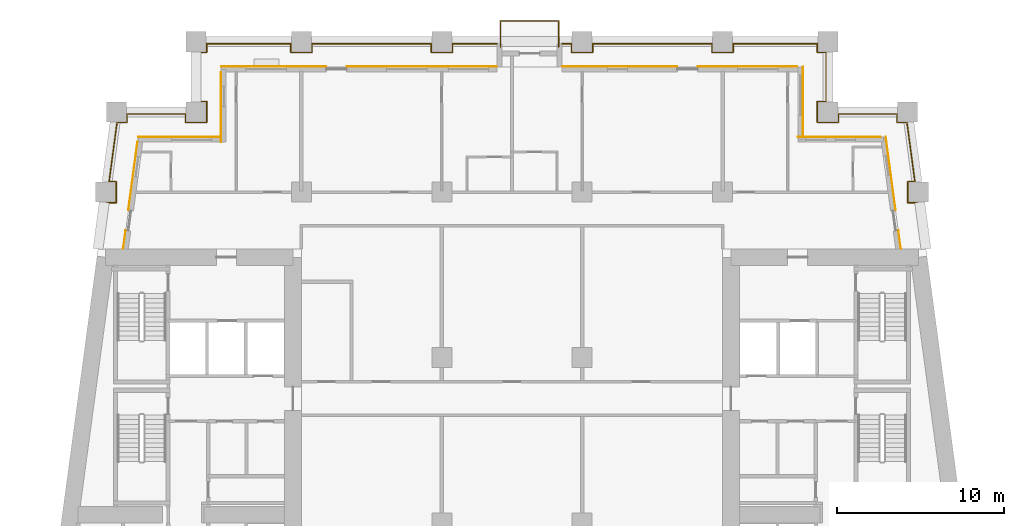
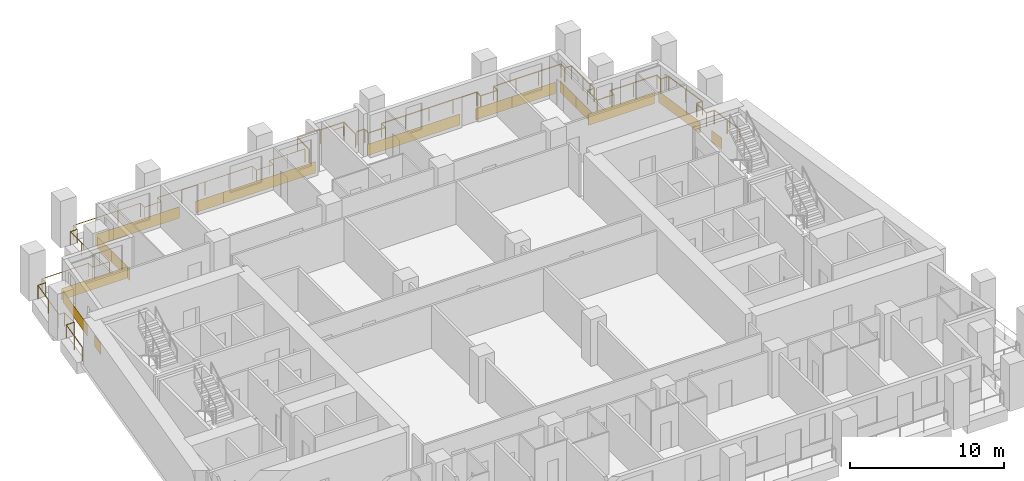
# One storey, part 12 of 13: 16 coverings, 3 railings.
"""IFC4 building model written with IfcOpenShell, lengths in metres."""

from ifc_helpers import new_model, si_unit, direction, frame, origin, origin_2d, place, context, subcontext, project, spatial, rectangle, circle, extrude, material, layer, layer_set, type_object, element, save


model = new_model("IFC4")

# Units and contexts
model_context = context("Model", 3, precision=1e-05, world=origin(), true_north=direction((0.0, 1.0)))
body_context = subcontext(model_context, "Body", "Model", "MODEL_VIEW")
ifc_project = project(units=[si_unit("LENGTHUNIT", "METRE"), si_unit("AREAUNIT", "SQUARE_METRE"), si_unit("VOLUMEUNIT", "CUBIC_METRE"), si_unit("PLANEANGLEUNIT", "RADIAN"), si_unit("MASSUNIT", "GRAM", prefix="KILO")], contexts=[model_context])

# Site, building, storey
site_placement = place(None, origin())
site = spatial("IfcSite", under=ifc_project, at=site_placement, CompositionType="ELEMENT")
building_placement = place(site_placement, origin())
building = spatial("IfcBuilding", under=site, at=building_placement, Name="Candeia Pilgrim Tower and Theatre", CompositionType="ELEMENT")
storey_placement = place(building_placement, frame((0.0, 0.0, 94.699951171875)))
storey = spatial("IfcBuildingStorey", under=building, at=storey_placement, Name="L21", CompositionType="ELEMENT", Elevation=94.699951171875)

# Railings
ifc_material_1 = material(Name="Stainless steel balustrade", Category="steel")
railing_type = type_object("IfcRailingType", Name="G1 loggia guard 1100", PredefinedType="GUARDRAIL", material=ifc_material_1)
railing_1_placement = place(storey_placement, frame((88.758544921875, 132.449951171875, 0.0)))
element("IfcRailing", 1, at=railing_1_placement, inside=storey, type_object=railing_type, Name="Guard L21.2", PredefinedType="GUARDRAIL", context=body_context, shape_type="SweptSolid", body=[
    extrude(circle(Radius=0.02392578125, at=origin_2d()), frame((0.0, 0.0, 1.076171875), z_axis=(0.133433855259, 0.991057720958, 0.0), x_axis=(-0.991057720958, 0.133433855259, 0.0)), (0.0, 0.0, 1.0), 2.74462890625),
    extrude(circle(Radius=0.02392578125, at=origin_2d()), frame((0.3662109375, 2.719970703125, 1.076171875), z_axis=(1.0, 0.0, 0.0), x_axis=(0.0, 1.0, 0.0)), (0.0, 0.0, 1.0), 0.59375),
    extrude(circle(Radius=0.02392578125, at=origin_2d()), frame((0.9599609375, 2.719970703125, 1.076171875), z_axis=(0.0, 1.0, 0.0), x_axis=(-1.0, 0.0, 0.0)), (0.0, 0.0, 1.0), 1.260009765625),
    extrude(circle(Radius=0.02392578125, at=origin_2d()), frame((0.9599609375, 3.97998046875, 1.076171875), z_axis=(-1.0, 0.0, 0.0), x_axis=(0.0, -1.0, 0.0)), (0.0, 0.0, 1.0), 0.424072265625),
    extrude(circle(Radius=0.02392578125, at=origin_2d()), frame((0.535888671875, 3.97998046875, 1.076171875), z_axis=(0.133417176173, 0.991059966451, 0.0), x_axis=(-0.991059966451, 0.133417176173, 0.0)), (0.0, 0.0, 1.0), 3.572021484375),
    extrude(circle(Radius=0.02392578125, at=origin_2d()), frame((1.012451171875, 7.52001953125, 1.076171875), z_axis=(1.0, 0.0, 0.0), x_axis=(0.0, 1.0, 0.0)), (0.0, 0.0, 1.0), 0.593505859375),
    extrude(circle(Radius=0.02392578125, at=origin_2d()), frame((1.60595703125, 7.52001953125, 1.076171875), z_axis=(0.0, 1.0, 0.0), x_axis=(-1.0, 0.0, 0.0)), (0.0, 0.0, 1.0), 0.510009765625),
    extrude(circle(Radius=0.02392578125, at=origin_2d()), frame((1.60595703125, 8.030029296875, 1.076171875), z_axis=(1.0, 0.0, 0.0), x_axis=(0.0, 1.0, 0.0)), (0.0, 0.0, 1.0), 3.505615234375),
    extrude(circle(Radius=0.02392578125, at=origin_2d()), frame((5.111572265625, 8.030029296875, 1.076171875), z_axis=(0.0, -1.0, 0.0), x_axis=(1.0, 0.0, 0.0)), (0.0, 0.0, 1.0), 0.510009765625),
    extrude(circle(Radius=0.02392578125, at=origin_2d()), frame((5.111572265625, 7.52001953125, 1.076171875), z_axis=(1.0, 0.0, 0.0), x_axis=(0.0, 1.0, 0.0)), (0.0, 0.0, 1.0), 1.259765625),
    extrude(circle(Radius=0.02392578125, at=origin_2d()), frame((6.371337890625, 7.52001953125, 1.076171875), z_axis=(0.0, 1.0, 0.0), x_axis=(-1.0, 0.0, 0.0)), (0.0, 0.0, 1.0), 1.260009765625),
    extrude(circle(Radius=0.02392578125, at=origin_2d()), frame((6.371337890625, 8.780029296875, 1.076171875), z_axis=(-1.0, 0.0, 0.0), x_axis=(0.0, -1.0, 0.0)), (0.0, 0.0, 1.0), 0.509765625),
    extrude(circle(Radius=0.02392578125, at=origin_2d()), frame((5.861572265625, 8.780029296875, 1.076171875), z_axis=(0.0, 1.0, 0.0), x_axis=(-1.0, 0.0, 0.0)), (0.0, 0.0, 1.0), 2.93994140625),
    extrude(circle(Radius=0.02392578125, at=origin_2d()), frame((5.861572265625, 11.719970703125, 1.076171875), z_axis=(1.0, 0.0, 0.0), x_axis=(0.0, 1.0, 0.0)), (0.0, 0.0, 1.0), 0.509765625),
    extrude(circle(Radius=0.02392578125, at=origin_2d()), frame((6.371337890625, 11.719970703125, 1.076171875), z_axis=(0.0, 1.0, 0.0), x_axis=(-1.0, 0.0, 0.0)), (0.0, 0.0, 1.0), 0.510009765625),
    extrude(circle(Radius=0.02392578125, at=origin_2d()), frame((6.371337890625, 12.22998046875, 1.076171875), z_axis=(1.0, 0.0, 0.0), x_axis=(0.0, 1.0, 0.0)), (0.0, 0.0, 1.0), 5.0400390625),
    extrude(circle(Radius=0.02392578125, at=origin_2d()), frame((11.411376953125, 12.22998046875, 1.076171875), z_axis=(0.0, -1.0, 0.0), x_axis=(1.0, 0.0, 0.0)), (0.0, 0.0, 1.0), 0.510009765625),
    extrude(circle(Radius=0.02392578125, at=origin_2d()), frame((11.411376953125, 11.719970703125, 1.076171875), z_axis=(1.0, 0.0, 0.0), x_axis=(0.0, 1.0, 0.0)), (0.0, 0.0, 1.0), 1.260009765625),
    extrude(circle(Radius=0.02392578125, at=origin_2d()), frame((12.67138671875, 11.719970703125, 1.076171875), z_axis=(0.0, 1.0, 0.0), x_axis=(-1.0, 0.0, 0.0)), (0.0, 0.0, 1.0), 0.510009765625),
    extrude(circle(Radius=0.02392578125, at=origin_2d()), frame((12.67138671875, 12.22998046875, 1.076171875), z_axis=(1.0, 0.0, 0.0), x_axis=(0.0, 1.0, 0.0)), (0.0, 0.0, 1.0), 7.14013671875),
    extrude(circle(Radius=0.02392578125, at=origin_2d()), frame((19.8115234375, 12.22998046875, 1.076171875), z_axis=(0.0, -1.0, 0.0), x_axis=(1.0, 0.0, 0.0)), (0.0, 0.0, 1.0), 0.510009765625),
    extrude(circle(Radius=0.02392578125, at=origin_2d()), frame((19.8115234375, 11.719970703125, 1.076171875), z_axis=(1.0, 0.0, 0.0), x_axis=(0.0, 1.0, 0.0)), (0.0, 0.0, 1.0), 1.260009765625),
    extrude(circle(Radius=0.02392578125, at=origin_2d()), frame((21.071533203125, 11.719970703125, 1.076171875), z_axis=(0.0, 1.0, 0.0), x_axis=(-1.0, 0.0, 0.0)), (0.0, 0.0, 1.0), 0.510009765625),
    extrude(circle(Radius=0.02392578125, at=origin_2d()), frame((21.071533203125, 12.22998046875, 1.076171875), z_axis=(1.0, 0.0, 0.0), x_axis=(0.0, 1.0, 0.0)), (0.0, 0.0, 1.0), 2.669921875),
    extrude(circle(Radius=0.02099609375, at=origin_2d()), origin(), (0.0, 0.0, 1.0), 1.052001953125),
    extrude(circle(Radius=0.02099609375, at=origin_2d()), frame((0.18310546875, 1.35986328125, 0.0)), (0.0, 0.0, 1.0), 1.052001953125),
    extrude(circle(Radius=0.02099609375, at=origin_2d()), frame((0.3662109375, 2.719970703125, 0.0)), (0.0, 0.0, 1.0), 1.052001953125),
    extrude(circle(Radius=0.02099609375, at=origin_2d()), frame((0.9599609375, 2.719970703125, 0.0)), (0.0, 0.0, 1.0), 1.052001953125),
    extrude(circle(Radius=0.02099609375, at=origin_2d()), frame((0.9599609375, 3.97998046875, 0.0)), (0.0, 0.0, 1.0), 1.052001953125),
    extrude(circle(Radius=0.02099609375, at=origin_2d()), frame((0.535888671875, 3.97998046875, 0.0)), (0.0, 0.0, 1.0), 1.052001953125),
    extrude(circle(Radius=0.02099609375, at=origin_2d()), frame((0.774169921875, 5.75, 0.0)), (0.0, 0.0, 1.0), 1.052001953125),
    extrude(circle(Radius=0.02099609375, at=origin_2d()), frame((1.012451171875, 7.52001953125, 0.0)), (0.0, 0.0, 1.0), 1.052001953125),
    extrude(circle(Radius=0.02099609375, at=origin_2d()), frame((1.60595703125, 7.52001953125, 0.0)), (0.0, 0.0, 1.0), 1.052001953125),
    extrude(circle(Radius=0.02099609375, at=origin_2d()), frame((1.60595703125, 8.030029296875, 0.0)), (0.0, 0.0, 1.0), 1.052001953125),
    extrude(circle(Radius=0.02099609375, at=origin_2d()), frame((3.35888671875, 8.030029296875, 0.0)), (0.0, 0.0, 1.0), 1.052001953125),
    extrude(circle(Radius=0.02099609375, at=origin_2d()), frame((5.111572265625, 8.030029296875, 0.0)), (0.0, 0.0, 1.0), 1.052001953125),
    extrude(circle(Radius=0.02099609375, at=origin_2d()), frame((5.111572265625, 7.52001953125, 0.0)), (0.0, 0.0, 1.0), 1.052001953125),
    extrude(circle(Radius=0.02099609375, at=origin_2d()), frame((6.371337890625, 7.52001953125, 0.0)), (0.0, 0.0, 1.0), 1.052001953125),
    extrude(circle(Radius=0.02099609375, at=origin_2d()), frame((6.371337890625, 8.780029296875, 0.0)), (0.0, 0.0, 1.0), 1.052001953125),
    extrude(circle(Radius=0.02099609375, at=origin_2d()), frame((5.861572265625, 8.780029296875, 0.0)), (0.0, 0.0, 1.0), 1.052001953125),
    extrude(circle(Radius=0.02099609375, at=origin_2d()), frame((5.861572265625, 10.25, 0.0)), (0.0, 0.0, 1.0), 1.052001953125),
    extrude(circle(Radius=0.02099609375, at=origin_2d()), frame((5.861572265625, 11.719970703125, 0.0)), (0.0, 0.0, 1.0), 1.052001953125),
    extrude(circle(Radius=0.02099609375, at=origin_2d()), frame((6.371337890625, 11.719970703125, 0.0)), (0.0, 0.0, 1.0), 1.052001953125),
    extrude(circle(Radius=0.02099609375, at=origin_2d()), frame((6.371337890625, 12.22998046875, 0.0)), (0.0, 0.0, 1.0), 1.052001953125),
    extrude(circle(Radius=0.02099609375, at=origin_2d()), frame((8.05126953125, 12.22998046875, 0.0)), (0.0, 0.0, 1.0), 1.052001953125),
    extrude(circle(Radius=0.02099609375, at=origin_2d()), frame((9.7314453125, 12.22998046875, 0.0)), (0.0, 0.0, 1.0), 1.052001953125),
    extrude(circle(Radius=0.02099609375, at=origin_2d()), frame((11.411376953125, 12.22998046875, 0.0)), (0.0, 0.0, 1.0), 1.052001953125),
    extrude(circle(Radius=0.02099609375, at=origin_2d()), frame((11.411376953125, 11.719970703125, 0.0)), (0.0, 0.0, 1.0), 1.052001953125),
    extrude(circle(Radius=0.02099609375, at=origin_2d()), frame((12.67138671875, 11.719970703125, 0.0)), (0.0, 0.0, 1.0), 1.052001953125),
    extrude(circle(Radius=0.02099609375, at=origin_2d()), frame((12.67138671875, 12.22998046875, 0.0)), (0.0, 0.0, 1.0), 1.052001953125),
    extrude(circle(Radius=0.02099609375, at=origin_2d()), frame((14.45654296875, 12.22998046875, 0.0)), (0.0, 0.0, 1.0), 1.052001953125),
    extrude(circle(Radius=0.02099609375, at=origin_2d()), frame((16.241455078125, 12.22998046875, 0.0)), (0.0, 0.0, 1.0), 1.052001953125),
    extrude(circle(Radius=0.02099609375, at=origin_2d()), frame((18.0263671875, 12.22998046875, 0.0)), (0.0, 0.0, 1.0), 1.052001953125),
    extrude(circle(Radius=0.02099609375, at=origin_2d()), frame((19.8115234375, 12.22998046875, 0.0)), (0.0, 0.0, 1.0), 1.052001953125),
    extrude(circle(Radius=0.02099609375, at=origin_2d()), frame((19.8115234375, 11.719970703125, 0.0)), (0.0, 0.0, 1.0), 1.052001953125),
    extrude(circle(Radius=0.02099609375, at=origin_2d()), frame((21.071533203125, 11.719970703125, 0.0)), (0.0, 0.0, 1.0), 1.052001953125),
    extrude(circle(Radius=0.02099609375, at=origin_2d()), frame((21.071533203125, 12.22998046875, 0.0)), (0.0, 0.0, 1.0), 1.052001953125),
    extrude(circle(Radius=0.02099609375, at=origin_2d()), frame((22.406494140625, 12.22998046875, 0.0)), (0.0, 0.0, 1.0), 1.052001953125),
    extrude(circle(Radius=0.02099609375, at=origin_2d()), frame((23.741455078125, 12.22998046875, 0.0)), (0.0, 0.0, 1.0), 1.052001953125),
])
railing_2_placement = place(storey_placement, frame((116.39990234375, 144.679931640625, 0.0)))
element("IfcRailing", 2, at=railing_2_placement, inside=storey, type_object=railing_type, Name="Guard L21.3", PredefinedType="GUARDRAIL", context=body_context, shape_type="SweptSolid", body=[
    extrude(circle(Radius=0.02392578125, at=origin_2d()), frame((0.0, 0.0, 1.076171875), z_axis=(1.0, 0.0, 0.0), x_axis=(0.0, 1.0, 0.0)), (0.0, 0.0, 1.0), 0.570068359375),
    extrude(circle(Radius=0.02392578125, at=origin_2d()), frame((0.570068359375, 0.0, 1.076171875), z_axis=(0.0, -1.0, 0.0), x_axis=(1.0, 0.0, 0.0)), (0.0, 0.0, 1.0), 0.510009765625),
    extrude(circle(Radius=0.02392578125, at=origin_2d()), frame((0.570068359375, -0.510009765625, 1.076171875), z_axis=(1.0, 0.0, 0.0), x_axis=(0.0, 1.0, 0.0)), (0.0, 0.0, 1.0), 1.260009765625),
    extrude(circle(Radius=0.02392578125, at=origin_2d()), frame((1.830078125, -0.510009765625, 1.076171875), z_axis=(0.0, 1.0, 0.0), x_axis=(-1.0, 0.0, 0.0)), (0.0, 0.0, 1.0), 0.510009765625),
    extrude(circle(Radius=0.02392578125, at=origin_2d()), frame((1.830078125, 0.0, 1.076171875), z_axis=(1.0, 0.0, 0.0), x_axis=(0.0, 1.0, 0.0)), (0.0, 0.0, 1.0), 7.14013671875),
    extrude(circle(Radius=0.02392578125, at=origin_2d()), frame((8.97021484375, 0.0, 1.076171875), z_axis=(0.0, -1.0, 0.0), x_axis=(1.0, 0.0, 0.0)), (0.0, 0.0, 1.0), 0.510009765625),
    extrude(circle(Radius=0.02392578125, at=origin_2d()), frame((8.97021484375, -0.510009765625, 1.076171875), z_axis=(1.0, 0.0, 0.0), x_axis=(0.0, 1.0, 0.0)), (0.0, 0.0, 1.0), 1.259765625),
    extrude(circle(Radius=0.02392578125, at=origin_2d()), frame((10.22998046875, -0.510009765625, 1.076171875), z_axis=(0.0, 1.0, 0.0), x_axis=(-1.0, 0.0, 0.0)), (0.0, 0.0, 1.0), 0.510009765625),
    extrude(circle(Radius=0.02392578125, at=origin_2d()), frame((10.22998046875, 0.0, 1.076171875), z_axis=(1.0, 0.0, 0.0), x_axis=(0.0, 1.0, 0.0)), (0.0, 0.0, 1.0), 5.0400390625),
    extrude(circle(Radius=0.02392578125, at=origin_2d()), frame((15.27001953125, 0.0, 1.076171875), z_axis=(0.0, -1.0, 0.0), x_axis=(1.0, 0.0, 0.0)), (0.0, 0.0, 1.0), 0.510009765625),
    extrude(circle(Radius=0.02392578125, at=origin_2d()), frame((15.27001953125, -0.510009765625, 1.076171875), z_axis=(1.0, 0.0, 0.0), x_axis=(0.0, 1.0, 0.0)), (0.0, 0.0, 1.0), 0.510009765625),
    extrude(circle(Radius=0.02392578125, at=origin_2d()), frame((15.780029296875, -0.510009765625, 1.076171875), z_axis=(0.0, -1.0, 0.0), x_axis=(1.0, 0.0, 0.0)), (0.0, 0.0, 1.0), 2.93994140625),
    extrude(circle(Radius=0.02392578125, at=origin_2d()), frame((15.780029296875, -3.449951171875, 1.076171875), z_axis=(-1.0, 0.0, 0.0), x_axis=(0.0, -1.0, 0.0)), (0.0, 0.0, 1.0), 0.510009765625),
    extrude(circle(Radius=0.02392578125, at=origin_2d()), frame((15.27001953125, -3.449951171875, 1.076171875), z_axis=(0.0, -1.0, 0.0), x_axis=(1.0, 0.0, 0.0)), (0.0, 0.0, 1.0), 1.260009765625),
    extrude(circle(Radius=0.02392578125, at=origin_2d()), frame((15.27001953125, -4.7099609375, 1.076171875), z_axis=(1.0, 0.0, 0.0), x_axis=(0.0, 1.0, 0.0)), (0.0, 0.0, 1.0), 1.260009765625),
    extrude(circle(Radius=0.02392578125, at=origin_2d()), frame((16.530029296875, -4.7099609375, 1.076171875), z_axis=(0.0, 1.0, 0.0), x_axis=(-1.0, 0.0, 0.0)), (0.0, 0.0, 1.0), 0.510009765625),
    extrude(circle(Radius=0.02392578125, at=origin_2d()), frame((16.530029296875, -4.199951171875, 1.076171875), z_axis=(1.0, 0.0, 0.0), x_axis=(0.0, 1.0, 0.0)), (0.0, 0.0, 1.0), 3.50537109375),
    extrude(circle(Radius=0.02392578125, at=origin_2d()), frame((20.035400390625, -4.199951171875, 1.076171875), z_axis=(0.0, -1.0, 0.0), x_axis=(1.0, 0.0, 0.0)), (0.0, 0.0, 1.0), 0.510009765625),
    extrude(circle(Radius=0.02392578125, at=origin_2d()), frame((20.035400390625, -4.7099609375, 1.076171875), z_axis=(1.0, 0.0, 0.0), x_axis=(0.0, 1.0, 0.0)), (0.0, 0.0, 1.0), 0.59375),
    extrude(circle(Radius=0.02392578125, at=origin_2d()), frame((20.629150390625, -4.7099609375, 1.076171875), z_axis=(0.133417176173, -0.991059966451, 0.0), x_axis=(0.991059966451, 0.133417176173, 0.0)), (0.0, 0.0, 1.0), 3.572021484375),
    extrude(circle(Radius=0.02392578125, at=origin_2d()), frame((21.105712890625, -8.25, 1.076171875), z_axis=(-1.0, 0.0, 0.0), x_axis=(0.0, -1.0, 0.0)), (0.0, 0.0, 1.0), 0.424072265625),
    extrude(circle(Radius=0.02392578125, at=origin_2d()), frame((20.681640625, -8.25, 1.076171875), z_axis=(0.0, -1.0, 0.0), x_axis=(1.0, 0.0, 0.0)), (0.0, 0.0, 1.0), 1.260009765625),
    extrude(circle(Radius=0.02392578125, at=origin_2d()), frame((20.681640625, -9.510009765625, 1.076171875), z_axis=(1.0, 0.0, 0.0), x_axis=(0.0, 1.0, 0.0)), (0.0, 0.0, 1.0), 0.59375),
    extrude(circle(Radius=0.02392578125, at=origin_2d()), frame((21.275390625, -9.510009765625, 1.076171875), z_axis=(0.133433855259, -0.991057720958, 0.0), x_axis=(0.991057720958, 0.133433855259, 0.0)), (0.0, 0.0, 1.0), 2.74462890625),
    extrude(circle(Radius=0.02099609375, at=origin_2d()), origin(), (0.0, 0.0, 1.0), 1.052001953125),
    extrude(circle(Radius=0.02099609375, at=origin_2d()), frame((0.570068359375, 0.0, 0.0)), (0.0, 0.0, 1.0), 1.052001953125),
    extrude(circle(Radius=0.02099609375, at=origin_2d()), frame((0.570068359375, -0.510009765625, 0.0)), (0.0, 0.0, 1.0), 1.052001953125),
    extrude(circle(Radius=0.02099609375, at=origin_2d()), frame((1.830078125, -0.510009765625, 0.0)), (0.0, 0.0, 1.0), 1.052001953125),
    extrude(circle(Radius=0.02099609375, at=origin_2d()), frame((1.830078125, 0.0, 0.0)), (0.0, 0.0, 1.0), 1.052001953125),
    extrude(circle(Radius=0.02099609375, at=origin_2d()), frame((3.615234375, 0.0, 0.0)), (0.0, 0.0, 1.0), 1.052001953125),
    extrude(circle(Radius=0.02099609375, at=origin_2d()), frame((5.400146484375, 0.0, 0.0)), (0.0, 0.0, 1.0), 1.052001953125),
    extrude(circle(Radius=0.02099609375, at=origin_2d()), frame((7.18505859375, 0.0, 0.0)), (0.0, 0.0, 1.0), 1.052001953125),
    extrude(circle(Radius=0.02099609375, at=origin_2d()), frame((8.97021484375, 0.0, 0.0)), (0.0, 0.0, 1.0), 1.052001953125),
    extrude(circle(Radius=0.02099609375, at=origin_2d()), frame((8.97021484375, -0.510009765625, 0.0)), (0.0, 0.0, 1.0), 1.052001953125),
    extrude(circle(Radius=0.02099609375, at=origin_2d()), frame((10.22998046875, -0.510009765625, 0.0)), (0.0, 0.0, 1.0), 1.052001953125),
    extrude(circle(Radius=0.02099609375, at=origin_2d()), frame((10.22998046875, 0.0, 0.0)), (0.0, 0.0, 1.0), 1.052001953125),
    extrude(circle(Radius=0.02099609375, at=origin_2d()), frame((11.909912109375, 0.0, 0.0)), (0.0, 0.0, 1.0), 1.052001953125),
    extrude(circle(Radius=0.02099609375, at=origin_2d()), frame((13.590087890625, 0.0, 0.0)), (0.0, 0.0, 1.0), 1.052001953125),
    extrude(circle(Radius=0.02099609375, at=origin_2d()), frame((15.27001953125, 0.0, 0.0)), (0.0, 0.0, 1.0), 1.052001953125),
    extrude(circle(Radius=0.02099609375, at=origin_2d()), frame((15.27001953125, -0.510009765625, 0.0)), (0.0, 0.0, 1.0), 1.052001953125),
    extrude(circle(Radius=0.02099609375, at=origin_2d()), frame((15.780029296875, -0.510009765625, 0.0)), (0.0, 0.0, 1.0), 1.052001953125),
    extrude(circle(Radius=0.02099609375, at=origin_2d()), frame((15.780029296875, -1.97998046875, 0.0)), (0.0, 0.0, 1.0), 1.052001953125),
    extrude(circle(Radius=0.02099609375, at=origin_2d()), frame((15.780029296875, -3.449951171875, 0.0)), (0.0, 0.0, 1.0), 1.052001953125),
    extrude(circle(Radius=0.02099609375, at=origin_2d()), frame((15.27001953125, -3.449951171875, 0.0)), (0.0, 0.0, 1.0), 1.052001953125),
    extrude(circle(Radius=0.02099609375, at=origin_2d()), frame((15.27001953125, -4.7099609375, 0.0)), (0.0, 0.0, 1.0), 1.052001953125),
    extrude(circle(Radius=0.02099609375, at=origin_2d()), frame((16.530029296875, -4.7099609375, 0.0)), (0.0, 0.0, 1.0), 1.052001953125),
    extrude(circle(Radius=0.02099609375, at=origin_2d()), frame((16.530029296875, -4.199951171875, 0.0)), (0.0, 0.0, 1.0), 1.052001953125),
    extrude(circle(Radius=0.02099609375, at=origin_2d()), frame((18.28271484375, -4.199951171875, 0.0)), (0.0, 0.0, 1.0), 1.052001953125),
    extrude(circle(Radius=0.02099609375, at=origin_2d()), frame((20.035400390625, -4.199951171875, 0.0)), (0.0, 0.0, 1.0), 1.052001953125),
    extrude(circle(Radius=0.02099609375, at=origin_2d()), frame((20.035400390625, -4.7099609375, 0.0)), (0.0, 0.0, 1.0), 1.052001953125),
    extrude(circle(Radius=0.02099609375, at=origin_2d()), frame((20.629150390625, -4.7099609375, 0.0)), (0.0, 0.0, 1.0), 1.052001953125),
    extrude(circle(Radius=0.02099609375, at=origin_2d()), frame((20.867431640625, -6.47998046875, 0.0)), (0.0, 0.0, 1.0), 1.052001953125),
    extrude(circle(Radius=0.02099609375, at=origin_2d()), frame((21.105712890625, -8.25, 0.0)), (0.0, 0.0, 1.0), 1.052001953125),
    extrude(circle(Radius=0.02099609375, at=origin_2d()), frame((20.681640625, -8.25, 0.0)), (0.0, 0.0, 1.0), 1.052001953125),
    extrude(circle(Radius=0.02099609375, at=origin_2d()), frame((20.681640625, -9.510009765625, 0.0)), (0.0, 0.0, 1.0), 1.052001953125),
    extrude(circle(Radius=0.02099609375, at=origin_2d()), frame((21.275390625, -9.510009765625, 0.0)), (0.0, 0.0, 1.0), 1.052001953125),
    extrude(circle(Radius=0.02099609375, at=origin_2d()), frame((21.45849609375, -10.8701171875, 0.0)), (0.0, 0.0, 1.0), 1.052001953125),
    extrude(circle(Radius=0.02099609375, at=origin_2d()), frame((21.6416015625, -12.22998046875, 0.0)), (0.0, 0.0, 1.0), 1.052001953125),
])
railing_3_placement = place(storey_placement, frame((112.7099609375, 144.5, 0.0)))
element("IfcRailing", 3, at=railing_3_placement, inside=storey, type_object=railing_type, Name="Balcony guard L21", PredefinedType="GUARDRAIL", context=body_context, shape_type="SweptSolid", body=[
    extrude(circle(Radius=0.02392578125, at=origin_2d()), frame((0.0, 0.0, 1.076171875), z_axis=(0.0, 1.0, 0.0), x_axis=(-1.0, 0.0, 0.0)), (0.0, 0.0, 1.0), 1.5400390625),
    extrude(circle(Radius=0.02392578125, at=origin_2d()), frame((0.0, 1.5400390625, 1.076171875), z_axis=(1.0, 0.0, 0.0), x_axis=(0.0, 1.0, 0.0)), (0.0, 0.0, 1.0), 3.47998046875),
    extrude(circle(Radius=0.02392578125, at=origin_2d()), frame((3.47998046875, 1.5400390625, 1.076171875), z_axis=(0.0, -1.0, 0.0), x_axis=(1.0, 0.0, 0.0)), (0.0, 0.0, 1.0), 1.5400390625),
    extrude(circle(Radius=0.02099609375, at=origin_2d()), origin(), (0.0, 0.0, 1.0), 1.052001953125),
    extrude(circle(Radius=0.02099609375, at=origin_2d()), frame((0.0, 1.5400390625, 0.0)), (0.0, 0.0, 1.0), 1.052001953125),
    extrude(circle(Radius=0.02099609375, at=origin_2d()), frame((1.739990234375, 1.5400390625, 0.0)), (0.0, 0.0, 1.0), 1.052001953125),
    extrude(circle(Radius=0.02099609375, at=origin_2d()), frame((3.47998046875, 1.5400390625, 0.0)), (0.0, 0.0, 1.0), 1.052001953125),
    extrude(circle(Radius=0.02099609375, at=origin_2d()), frame((3.47998046875, 0.0, 0.0)), (0.0, 0.0, 1.0), 1.052001953125),
])

# Coverings
ifc_material_2 = material(Name="Glazed ceramic tile red")
ifc_layer_1 = layer(ifc_material_2, 0.02001953125)
ifc_layer_set_1 = layer_set([ifc_layer_1], Name="Glazed ceramic tile red")
covering_type_1 = type_object("IfcCoveringType", Name="Glazed ceramic tile red", PredefinedType="CLADDING", material=ifc_layer_set_1)
covering_1_placement = place(storey_placement, frame((132.976318359375, 139.110107421875, 0.0), z_axis=(0.0, 0.0, 1.0), x_axis=(-1.0, 0.0, 0.0)))
element("IfcCovering", 4, at=covering_1_placement, inside=storey, type_object=covering_type_1, Name="Tile cladding red L21", PredefinedType="CLADDING", context=body_context, shape_type="SweptSolid", body=[
    extrude(rectangle(XDim=4.95263671875, YDim=0.02001953125, at=origin_2d()), origin(), (0.0, 0.0, 1.0), 0.89990234375),
])
covering_2_placement = place(storey_placement, frame((130.81005859375, 142.25, 0.0), z_axis=(0.0, 0.0, 1.0), x_axis=(0.0, 1.0, 0.0)))
element("IfcCovering", 5, at=covering_2_placement, inside=storey, type_object=covering_type_1, Name="Tile cladding red L21", PredefinedType="CLADDING", context=body_context, shape_type="SweptSolid", body=[
    extrude(rectangle(XDim=2.10009765625, YDim=0.02001953125, at=origin_2d()), origin(), (0.0, 0.0, 1.0), 0.89990234375),
])
covering_3_placement = place(storey_placement, frame((128.840087890625, 143.31005859375, 0.0), z_axis=(0.0, 0.0, 1.0), x_axis=(-1.0, 0.0, 0.0)))
element("IfcCovering", 6, at=covering_3_placement, inside=storey, type_object=covering_type_1, Name="Tile cladding red L21", PredefinedType="CLADDING", context=body_context, shape_type="SweptSolid", body=[
    extrude(rectangle(XDim=3.280029296875, YDim=0.02001953125, at=origin_2d()), origin(), (0.0, 0.0, 1.0), 0.89990234375),
])
covering_4_placement = place(storey_placement, frame((104.550048828125, 143.31005859375, 0.0), z_axis=(0.0, 0.0, 1.0), x_axis=(-1.0, 0.0, 0.0)))
element("IfcCovering", 7, at=covering_4_placement, inside=storey, type_object=covering_type_1, Name="Tile cladding red L21", PredefinedType="CLADDING", context=body_context, shape_type="SweptSolid", body=[
    extrude(rectangle(XDim=2.10009765625, YDim=0.02001953125, at=origin_2d()), origin(), (0.0, 0.0, 1.0), 0.89990234375),
])
covering_5_placement = place(storey_placement, frame((99.14990234375, 143.31005859375, 0.0), z_axis=(0.0, 0.0, 1.0), x_axis=(-1.0, 0.0, 0.0)))
element("IfcCovering", 8, at=covering_5_placement, inside=storey, type_object=covering_type_1, Name="Tile cladding red L21", PredefinedType="CLADDING", context=body_context, shape_type="SweptSolid", body=[
    extrude(rectangle(XDim=6.300048828125, YDim=0.02001953125, at=origin_2d()), origin(), (0.0, 0.0, 1.0), 0.89990234375),
])
covering_6_placement = place(storey_placement, frame((95.989990234375, 142.090087890625, 0.0), z_axis=(0.0, 0.0, 1.0), x_axis=(0.0, -1.0, 0.0)))
element("IfcCovering", 9, at=covering_6_placement, inside=storey, type_object=covering_type_1, Name="Tile cladding red L21", PredefinedType="CLADDING", context=body_context, shape_type="SweptSolid", body=[
    extrude(rectangle(XDim=1.780029296875, YDim=0.02001953125, at=origin_2d()), origin(), (0.0, 0.0, 1.0), 0.89990234375),
])
covering_7_placement = place(storey_placement, frame((93.51318359375, 139.110107421875, 0.0), z_axis=(0.0, 0.0, 1.0), x_axis=(-1.0, 0.0, 0.0)))
element("IfcCovering", 10, at=covering_7_placement, inside=storey, type_object=covering_type_1, Name="Tile cladding red L21", PredefinedType="CLADDING", context=body_context, shape_type="SweptSolid", body=[
    extrude(rectangle(XDim=4.933837890625, YDim=0.02001953125, at=origin_2d()), origin(), (0.0, 0.0, 1.0), 0.89990234375),
])
ifc_material_3 = material(Name="Glazed ceramic tile rust")
ifc_layer_2 = layer(ifc_material_3, 0.02001953125)
ifc_layer_set_2 = layer_set([ifc_layer_2], Name="Glazed ceramic tile rust")
covering_type_2 = type_object("IfcCoveringType", Name="Glazed ceramic tile rust", PredefinedType="CLADDING", material=ifc_layer_set_2)
covering_8_placement = place(storey_placement, frame((136.588623046875, 132.97412109375, 0.0), z_axis=(0.0, 0.0, 1.0), x_axis=(-0.133412012145, 0.991060661622, 0.0)))
element("IfcCovering", 11, at=covering_8_placement, inside=storey, type_object=covering_type_2, Name="Tile cladding rust L21", PredefinedType="CLADDING", context=body_context, shape_type="SweptSolid", body=[
    extrude(rectangle(XDim=1.115234375, YDim=0.02001953125, at=origin_2d()), origin(), (0.0, 0.0, 1.0), 0.89990234375),
])
covering_9_placement = place(storey_placement, frame((136.058837890625, 136.90869140625, 0.0), z_axis=(0.0, 0.0, 1.0), x_axis=(-0.133412012145, 0.991060661622, 0.0)))
element("IfcCovering", 12, at=covering_9_placement, inside=storey, type_object=covering_type_2, Name="Tile cladding rust L21", PredefinedType="CLADDING", context=body_context, shape_type="SweptSolid", body=[
    extrude(rectangle(XDim=4.4248046875, YDim=0.02001953125, at=origin_2d()), origin(), (0.0, 0.0, 1.0), 0.89990234375),
])
covering_10_placement = place(storey_placement, frame((130.81005859375, 140.159912109375, 0.0), z_axis=(0.0, 0.0, 1.0), x_axis=(0.0, 1.0, 0.0)))
element("IfcCovering", 13, at=covering_10_placement, inside=storey, type_object=covering_type_2, Name="Tile cladding rust L21", PredefinedType="CLADDING", context=body_context, shape_type="SweptSolid", body=[
    extrude(rectangle(XDim=2.080078125, YDim=0.02001953125, at=origin_2d()), origin(), (0.0, 0.0, 1.0), 0.89990234375),
])
covering_11_placement = place(storey_placement, frame((125.85009765625, 143.31005859375, 0.0), z_axis=(0.0, 0.0, 1.0), x_axis=(-1.0, 0.0, 0.0)))
element("IfcCovering", 14, at=covering_11_placement, inside=storey, type_object=covering_type_2, Name="Tile cladding rust L21", PredefinedType="CLADDING", context=body_context, shape_type="SweptSolid", body=[
    extrude(rectangle(XDim=2.699951171875, YDim=0.02001953125, at=origin_2d()), origin(), (0.0, 0.0, 1.0), 0.89990234375),
])
for number, where, z_axis, x_axis, name in (
    (15, (119.85009765625, 143.31005859375, 0.0), (0.0, 0.0, 1.0), (-1.0, 0.0, 0.0), "Tile cladding rust L21"),
    (16, (109.050048828125, 143.31005859375, 0.0), (0.0, 0.0, 1.0), (-1.0, 0.0, 0.0), "Tile cladding rust L21"),
):
    element("IfcCovering", number, at=place(storey_placement, frame(where, z_axis=z_axis, x_axis=x_axis)), inside=storey, type_object=covering_type_2, Name=name, PredefinedType="CLADDING", context=body_context, shape_type="SweptSolid", body=[
        extrude(rectangle(XDim=6.89990234375, YDim=0.02001953125, at=origin_2d()), origin(), (0.0, 0.0, 1.0), 0.89990234375),
    ])
covering_12_placement = place(storey_placement, frame((95.989990234375, 140.0, 0.0), z_axis=(0.0, 0.0, 1.0), x_axis=(0.0, -1.0, 0.0)))
element("IfcCovering", 17, at=covering_12_placement, inside=storey, type_object=covering_type_2, Name="Tile cladding rust L21", PredefinedType="CLADDING", context=body_context, shape_type="SweptSolid", body=[
    extrude(rectangle(XDim=2.39990234375, YDim=0.02001953125, at=origin_2d()), origin(), (0.0, 0.0, 1.0), 0.89990234375),
])
covering_13_placement = place(storey_placement, frame((90.720947265625, 136.759521484375, 0.0), z_axis=(0.0, 0.0, 1.0), x_axis=(-0.133412012145, -0.991060661622, 0.0)))
element("IfcCovering", 18, at=covering_13_placement, inside=storey, type_object=covering_type_2, Name="Tile cladding rust L21", PredefinedType="CLADDING", context=body_context, shape_type="SweptSolid", body=[
    extrude(rectangle(XDim=4.123779296875, YDim=0.02001953125, at=origin_2d()), origin(), (0.0, 0.0, 1.0), 0.89990234375),
])
covering_14_placement = place(storey_placement, frame((90.21142578125, 132.97412109375, 0.0), z_axis=(0.0, 0.0, 1.0), x_axis=(-0.133412012145, -0.991060661622, 0.0)))
element("IfcCovering", 19, at=covering_14_placement, inside=storey, type_object=covering_type_2, Name="Tile cladding rust L21", PredefinedType="CLADDING", context=body_context, shape_type="SweptSolid", body=[
    extrude(rectangle(XDim=1.115234375, YDim=0.02001953125, at=origin_2d()), origin(), (0.0, 0.0, 1.0), 0.89990234375),
])

save(model, "model.ifc")
